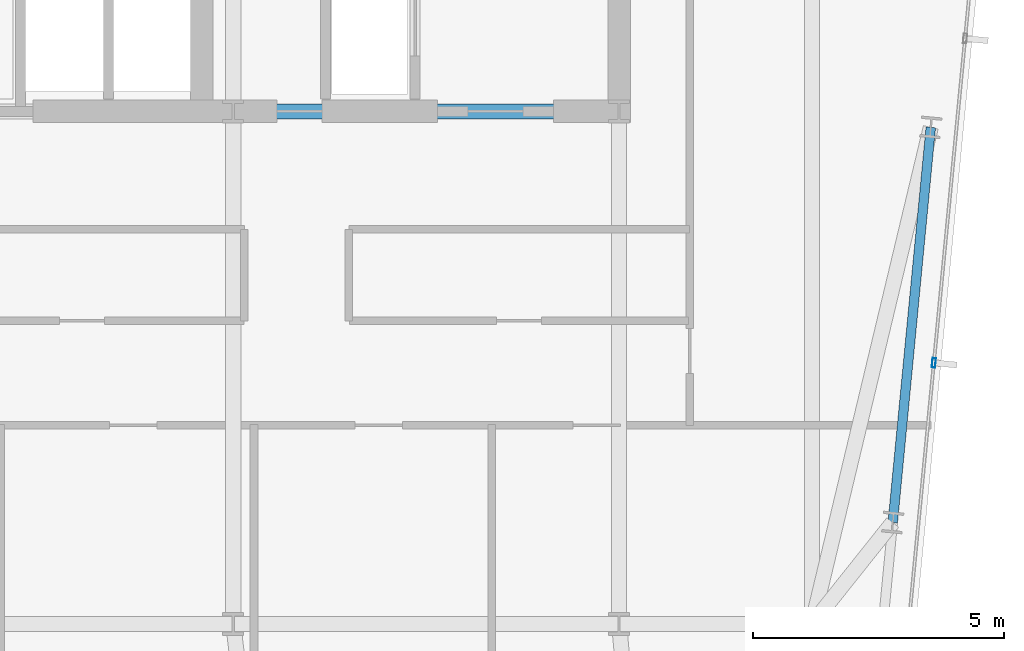
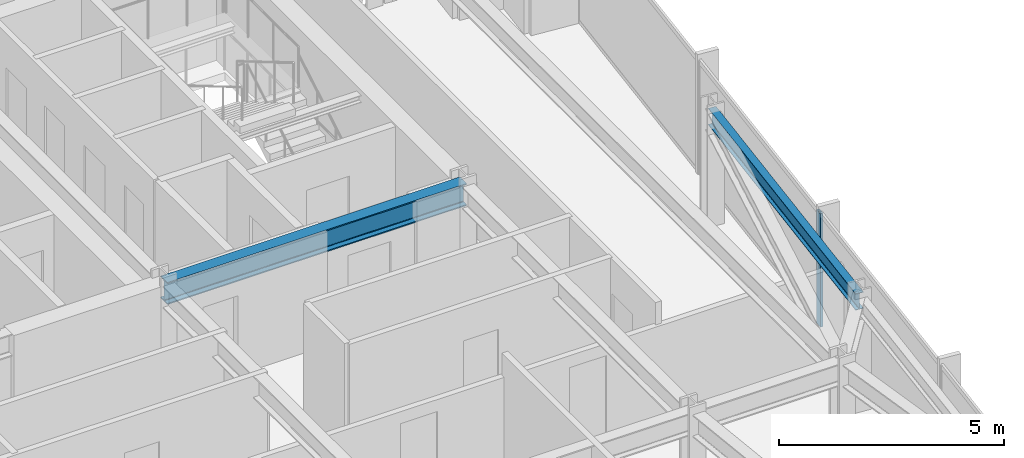
# One storey, part 18 of 38: 2 beams, 1 member, 1 element without a shape of its own.
"""IFC4 building model written with IfcOpenShell, lengths in metres."""

from ifc_helpers import new_model, si_unit, direction, frame, origin, origin_2d, place, context, subcontext, project, spatial, hollow_rectangle, i_section, extrude, material, material_profile, profile_set, type_object, element, aggregate, save


model = new_model("IFC4")

# Units and contexts
model_context = context("Model", 3, precision=1e-05, world=origin(), true_north=direction((0.0, 1.0)))
body_context = subcontext(model_context, "Body", "Model", "MODEL_VIEW")
ifc_project = project(units=[si_unit("LENGTHUNIT", "METRE"), si_unit("AREAUNIT", "SQUARE_METRE"), si_unit("VOLUMEUNIT", "CUBIC_METRE"), si_unit("PLANEANGLEUNIT", "RADIAN"), si_unit("MASSUNIT", "GRAM", prefix="KILO")], contexts=[model_context])

# Site, building, storey
site_placement = place(None, origin())
site = spatial("IfcSite", under=ifc_project, at=site_placement, CompositionType="ELEMENT")
building_placement = place(site_placement, origin())
building = spatial("IfcBuilding", under=site, at=building_placement, Name="Yelkora Congress Tower", CompositionType="ELEMENT")
storey_placement = place(building_placement, frame((0.0, 0.0, 178.699951171875)))
storey = spatial("IfcBuildingStorey", under=building, at=storey_placement, Name="L49", CompositionType="ELEMENT", Elevation=178.699951171875)

# Beams
ifc_material_1 = material(Name="Steel S355J2", Category="steel")
ifc_material_profile_1 = material_profile(ifc_material_1, i_section(OverallWidth=0.300048828125, OverallDepth=0.60009765625, WebThickness=0.015380859375, FlangeThickness=0.030029296875, FilletRadius=0.027099609375, at=origin_2d()), Name="HEB 600")
ifc_profile_set_1 = profile_set([ifc_material_profile_1], Name="Steel S355J2")
beam_type_1 = type_object("IfcBeamType", Name="BM-GIRD-HEB600", PredefinedType="BEAM", material=ifc_profile_set_1)
beam_1_placement = place(storey_placement, frame((46.080078125, 35.39990234375, 2.780029296875), z_axis=(1.0, 0.0, 0.0), x_axis=(0.0, 1.0, 0.0)))
element("IfcBeam", 1, at=beam_1_placement, inside=storey, type_object=beam_type_1, Name="L49 Core South Girder 4", PredefinedType="BEAM", context=body_context, shape_type="SweptSolid", body=[
    extrude(i_section(OverallWidth=0.300048828125, OverallDepth=0.60009765625, WebThickness=0.015380859375, FlangeThickness=0.030029296875, FilletRadius=0.027099609375, at=origin_2d()), origin(), (0.0, 0.0, 1.0), 7.679931640625),
])
ifc_material_profile_2 = material_profile(ifc_material_1, i_section(OverallWidth=0.18994140625, OverallDepth=0.449951171875, WebThickness=0.009521484375, FlangeThickness=0.0146484375, FilletRadius=0.02099609375, at=origin_2d()), Name="IPE 450")
ifc_profile_set_2 = profile_set([ifc_material_profile_2], Name="Steel S355J2")
beam_type_2 = type_object("IfcBeamType", Name="BM-SPAN-IPE450", PredefinedType="SPANDREL", material=ifc_profile_set_2)
beam_2_placement = place(storey_placement, frame((59.206298828125, 27.217529296875, 2.85498046875), z_axis=(0.095834301903, 0.99539730087, 0.0), x_axis=(-0.99539730087, 0.095834301903, 0.0)))
element("IfcBeam", 2, at=beam_2_placement, inside=storey, type_object=beam_type_2, Name="L49 Perimeter Beam 11", PredefinedType="SPANDREL", context=body_context, shape_type="SweptSolid", body=[
    extrude(i_section(OverallWidth=0.18994140625, OverallDepth=0.449951171875, WebThickness=0.009521484375, FlangeThickness=0.0146484375, FilletRadius=0.02099609375, at=origin_2d()), origin(), (0.0, 0.0, 1.0), 7.89990234375),
])

# Curtain wall, member
ifc_material_2 = material(Name="Anodised aluminium and insulated glass", Category="aluminium")
curtain_wall_type = type_object("IfcCurtainWallType", Name="CW-SYS-B3", PredefinedType="NOTDEFINED", material=ifc_material_2)
curtain_wall_placement = place(storey_placement, origin())
curtain_wall = element("IfcCurtainWall", 3, at=curtain_wall_placement, inside=storey, type_object=curtain_wall_type, Name="L49 Unitised Curtain Wall 15", PredefinedType="NOTDEFINED")
ifc_material_3 = material(Name="Anodised aluminium 6063-T6", Category="aluminium")
ifc_material_profile_3 = material_profile(ifc_material_3, hollow_rectangle(XDim=0.070068359375, YDim=0.18994140625, WallThickness=0.00390625, at=origin_2d()), Name="ALU 70x190x4")
ifc_profile_set_3 = profile_set([ifc_material_profile_3], Name="Anodised aluminium 6063-T6")
member_type = type_object("IfcMemberType", Name="MEM-ML-B3", PredefinedType="MULLION", material=ifc_profile_set_3)
member_placement = place(storey_placement, frame((60.024658203125, 30.395751953125, 0.0), z_axis=(0.0, 0.0, 1.0), x_axis=(0.995396565076, -0.095841944023, 0.0)))
member = element("IfcMember", 4, at=member_placement, type_object=member_type, Name="CW-B3 mullion 3", PredefinedType="MULLION", context=body_context, shape_type="SweptSolid", body=[
    extrude(hollow_rectangle(XDim=0.070068359375, YDim=0.18994140625, WallThickness=0.00390625, at=origin_2d()), origin(), (0.0, 0.0, 1.0), 3.080078125),
])
aggregate(curtain_wall, [member])

save(model, "model.ifc")
